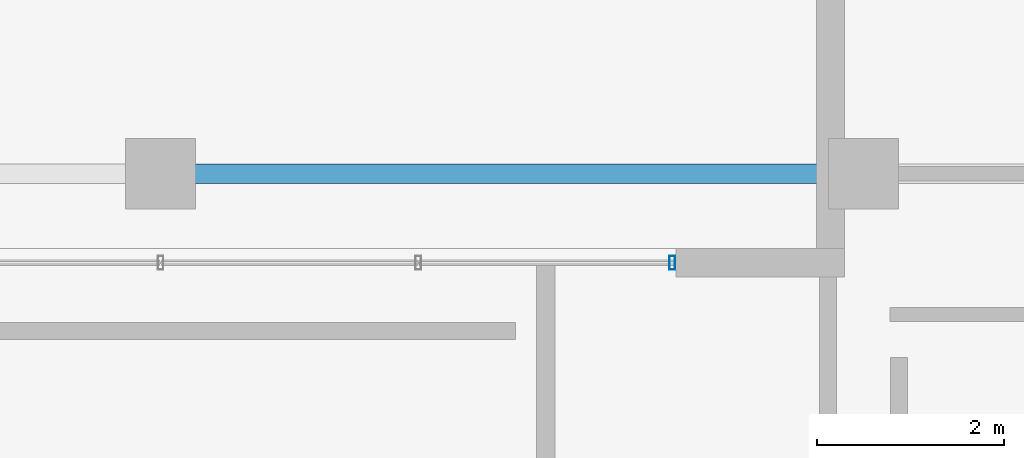
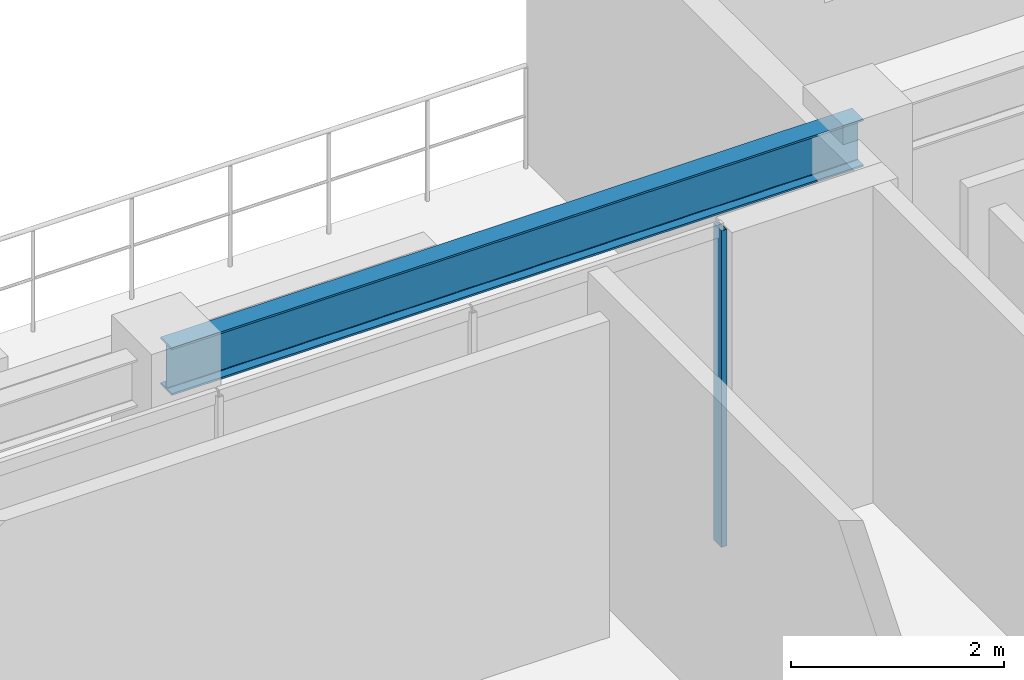
# One storey, part 3 of 9: 1 beam, 1 member, 1 element without a shape of its own.
"""IFC4 building model written with IfcOpenShell, lengths in metres."""

from ifc_helpers import new_model, si_unit, direction, frame, origin, origin_2d, place, context, subcontext, project, spatial, hollow_rectangle, i_section, extrude, material, material_profile, profile_set, type_object, element, aggregate, save


model = new_model("IFC4")

# Units and contexts
model_context = context("Model", 3, precision=1e-05, world=origin(), true_north=direction((0.0, 1.0)))
body_context = subcontext(model_context, "Body", "Model", "MODEL_VIEW")
ifc_project = project(units=[si_unit("LENGTHUNIT", "METRE"), si_unit("AREAUNIT", "SQUARE_METRE"), si_unit("VOLUMEUNIT", "CUBIC_METRE"), si_unit("PLANEANGLEUNIT", "RADIAN"), si_unit("MASSUNIT", "GRAM", prefix="KILO")], contexts=[model_context])

# Site, building, storey
site_placement = place(None, origin())
site = spatial("IfcSite", under=ifc_project, at=site_placement, CompositionType="ELEMENT")
building_placement = place(site_placement, origin())
building = spatial("IfcBuilding", under=site, at=building_placement, Name="Ventersveld Concourse Tower", CompositionType="ELEMENT")
storey_placement = place(building_placement, frame((0.0, 0.0, 204.14990234375)))
storey = spatial("IfcBuildingStorey", under=building, at=storey_placement, Name="L50", CompositionType="ELEMENT", Elevation=204.14990234375)

# Curtain wall, member
ifc_material_1 = material(Name="Anodised aluminium EN AW-6063-T6", Category="aluminium")
curtain_wall_type = type_object("IfcCurtainWallType", Name="CW-SG-4", PredefinedType="NOTDEFINED", material=ifc_material_1)
curtain_wall_placement = place(storey_placement, origin())
curtain_wall = element("IfcCurtainWall", 1, at=curtain_wall_placement, inside=storey, type_object=curtain_wall_type, Name="L50 L50 Sky Garden Recessed Curtain Wall", PredefinedType="NOTDEFINED")
ifc_material_profile_1 = material_profile(ifc_material_1, hollow_rectangle(XDim=0.06005859375, YDim=0.14990234375, WallThickness=0.00390625, at=origin_2d()), Name="ALU 150x60x4")
ifc_profile_set_1 = profile_set([ifc_material_profile_1], Name="Anodised aluminium EN AW-6063-T6")
member_type = type_object("IfcMemberType", Name="CWM-150x65", PredefinedType="MULLION", material=ifc_profile_set_1)
member_placement = place(storey_placement, frame((34.2099609375, 34.050048828125, 0.0), z_axis=(0.0, 0.0, 1.0), x_axis=(1.0, 0.0, 0.0)))
member = element("IfcMember", 2, at=member_placement, type_object=member_type, Name="CW-L50-SG Mullion 05", PredefinedType="MULLION", context=body_context, shape_type="SweptSolid", body=[
    extrude(hollow_rectangle(XDim=0.06005859375, YDim=0.14990234375, WallThickness=0.00390625, at=origin_2d()), origin(), (0.0, 0.0, 1.0), 3.630126953125),
])
aggregate(curtain_wall, [member])

# Beam
ifc_material_2 = material(Name="Structural steel S355J2", Category="steel")
ifc_material_profile_2 = material_profile(ifc_material_2, i_section(OverallWidth=0.2119140625, OverallDepth=0.54443359375, WebThickness=0.0126953125, FlangeThickness=0.021240234375, FilletRadius=0.0126953125, at=origin_2d()), Name="UB 533x210x122")
ifc_profile_set_2 = profile_set([ifc_material_profile_2], Name="Structural steel S355J2")
beam_type = type_object("IfcBeamType", Name="GRD-UB533H", PredefinedType="T_BEAM", material=ifc_profile_set_2)
beam_placement = place(storey_placement, frame((28.75, 35.0, 3.35791015625), z_axis=(1.0, 0.0, 0.0), x_axis=(0.0, 1.0, 0.0)))
element("IfcBeam", 3, at=beam_placement, inside=storey, type_object=beam_type, Name="L50 E-W Grid Girder Y=35.00 #4", PredefinedType="T_BEAM", context=body_context, shape_type="SweptSolid", body=[
    extrude(i_section(OverallWidth=0.2119140625, OverallDepth=0.54443359375, WebThickness=0.0126953125, FlangeThickness=0.021240234375, FilletRadius=0.0126953125, at=origin_2d()), origin(), (0.0, 0.0, 1.0), 7.5),
])

save(model, "model.ifc")
